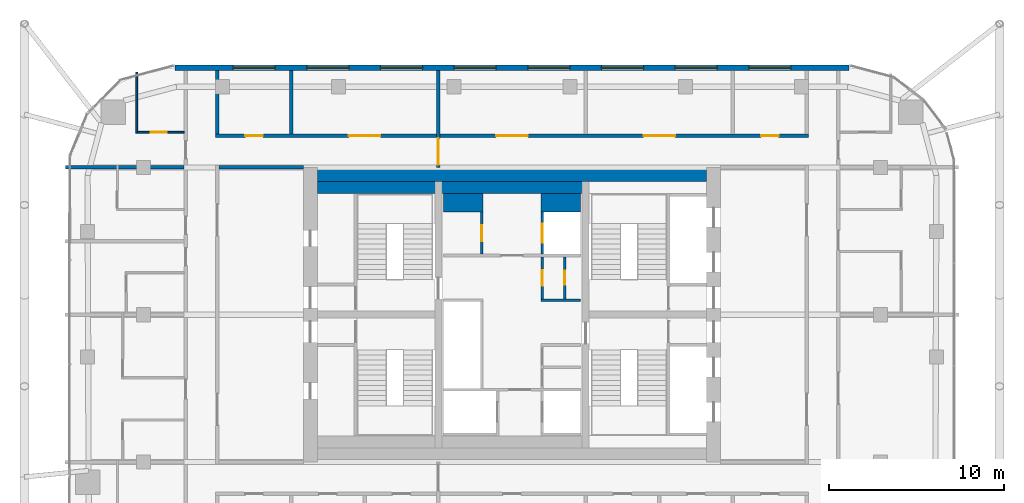
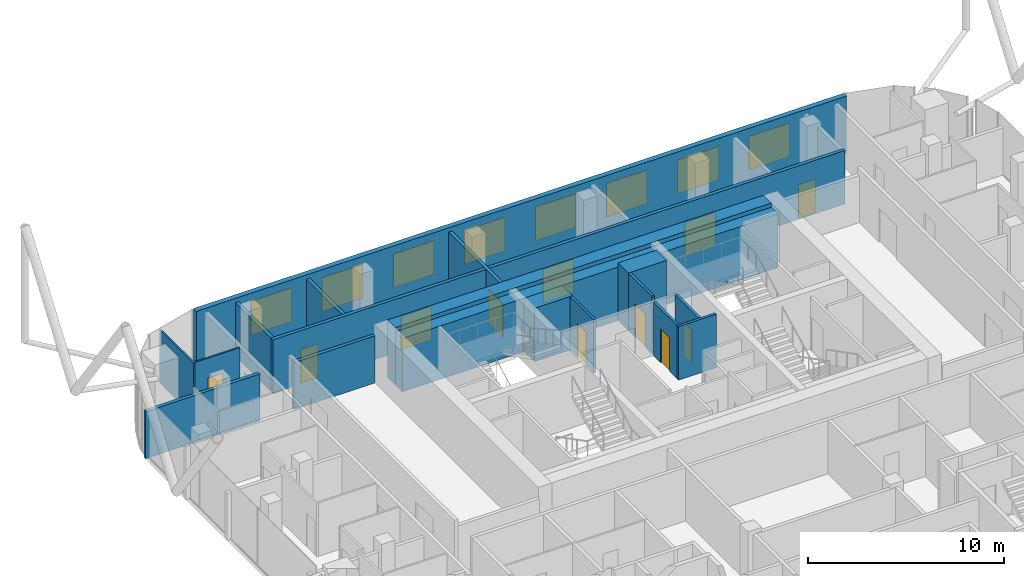
# One storey, part 28 of 31: 18 walls, 11 doors, 8 windows, 19 openings.
"""IFC4 building model written with IfcOpenShell, lengths in metres."""

import ifcopenshell
import ifcopenshell.guid

model = None  # the IFC model being written
_history = None  # IfcOwnerHistory: only IFC2X3 demands one
_inside = {}  # id of a spatial element -> (the spatial element, [elements in it])
_under = {}  # id of a project, library or spatial element -> (it, [spatial elements below it])
_declared = {}  # id of a project -> (the project, [libraries it declares])
_typed = {}  # id of a type object -> (the type object, [elements of that type])
_made_of = {}  # id of a material, layer set ... -> (it, [elements and type objects made of it])


def new_model(schema):
    """Start an empty IFC model of exactly this schema.

    Asked for "IFC4X3", IfcOpenShell would pick the latest addendum, in which some entities
    have other attributes; the version numbers below select the first issue.
    IFC2X3 requires an IfcOwnerHistory on every rooted entity: one is made here for all.
    """
    global model, _history
    if schema == "IFC4X3":
        model = ifcopenshell.file(schema_version=(4, 3, 0, 0))
    else:
        model = ifcopenshell.file(schema=schema)
    _inside.clear()
    _under.clear()
    _declared.clear()
    _typed.clear()
    _made_of.clear()
    _history = None
    if model.schema == "IFC2X3":
        org = make("IfcOrganization", Name="unknown")
        user = make(
            "IfcPersonAndOrganization",
            ThePerson=make("IfcPerson", FamilyName="unknown"),
            TheOrganization=org,
        )
        app = make(
            "IfcApplication",
            ApplicationDeveloper=org,
            Version="unknown",
            ApplicationFullName="unknown",
            ApplicationIdentifier="unknown",
        )
        _history = make(
            "IfcOwnerHistory",
            OwningUser=user,
            OwningApplication=app,
            ChangeAction="ADDED",
            CreationDate=0,
        )
    return model


def make(cls, **values):
    """One entity of the class cls with the attributes given. An attribute that is None is left unset."""
    return model.create_entity(
        cls, **{name: value for name, value in values.items() if value is not None}
    )


def rooted(cls, **values):
    """An entity with a GlobalId (a new one), such as an element, a storey or a relation."""
    return make(cls, GlobalId=ifcopenshell.guid.new(), OwnerHistory=_history, **values)


def si_unit(unit_type, name, prefix=None):
    """IfcSIUnit, for example si_unit("LENGTHUNIT", "METRE", prefix="MILLI")."""
    return make("IfcSIUnit", UnitType=unit_type, Prefix=prefix, Name=name)


def assignment(units):
    """IfcUnitAssignment: the units of a project."""
    return None if units is None else make("IfcUnitAssignment", Units=units)


def point(xyz):
    """IfcCartesianPoint."""
    return None if xyz is None else make("IfcCartesianPoint", Coordinates=xyz)


def direction(xyz):
    """IfcDirection."""
    return None if xyz is None else make("IfcDirection", DirectionRatios=xyz)


def frame(location, z_axis=None, x_axis=None):
    """IfcAxis2Placement3D, a coordinate frame: its origin and axes. An axis left out is left unset."""
    return make(
        "IfcAxis2Placement3D",
        Location=point(location),
        Axis=direction(z_axis),
        RefDirection=direction(x_axis),
    )


def frame_2d(location, x_axis=None):
    """IfcAxis2Placement2D, a coordinate frame in the plane: its origin and x axis."""
    return make(
        "IfcAxis2Placement2D", Location=point(location), RefDirection=direction(x_axis)
    )


def origin():
    """The frame at (0, 0, 0) with its axes left unset."""
    return frame((0.0, 0.0, 0.0))


def place(relative_to, where):
    """IfcLocalPlacement: puts the frame where relative to a parent placement (None: the world)."""
    return make(
        "IfcLocalPlacement", PlacementRelTo=relative_to, RelativePlacement=where
    )


def context(
    kind, dimensions, precision=None, world=None, true_north=None, identifier=None
):
    """IfcGeometricRepresentationContext, for example the 3D "Model" context."""
    return make(
        "IfcGeometricRepresentationContext",
        ContextIdentifier=identifier,
        ContextType=kind,
        CoordinateSpaceDimension=dimensions,
        Precision=precision,
        WorldCoordinateSystem=world,
        TrueNorth=true_north,
    )


def subcontext(parent, identifier, kind, view, scale=None):
    """IfcGeometricRepresentationSubContext, for example "Body" below "Model"."""
    return make(
        "IfcGeometricRepresentationSubContext",
        ContextIdentifier=identifier,
        ContextType=kind,
        ParentContext=parent,
        TargetScale=scale,
        TargetView=view,
    )


def project(units=None, contexts=None):
    """IfcProject with its units and contexts."""
    return rooted(
        "IfcProject",
        Name="project",
        RepresentationContexts=contexts,
        UnitsInContext=assignment(units),
    )


def spatial(cls, under=None, at=None, **own):
    """A site, building, storey or space (cls), placed at a placement, below another one or the project."""
    s = rooted(cls, ObjectPlacement=at, **own)
    if under is not None:
        _under.setdefault(under.id(), (under, []))[1].append(s)
    return s


def profile(cls, at=None, kind="AREA", **sizes):
    """A parametric profile (cls). Its sizes go by their IFC names, for example OverallWidth=200.0."""
    return make(cls, ProfileType=kind, Position=at, **sizes)


def rectangle(**sizes):
    """IfcRectangleProfileDef."""
    return profile("IfcRectangleProfileDef", **sizes)


def extrude(swept, where, along, depth):
    """IfcExtrudedAreaSolid: the profile swept, set in the frame where, extruded along a direction by depth."""
    return make(
        "IfcExtrudedAreaSolid",
        SweptArea=swept,
        Position=where,
        ExtrudedDirection=direction(along),
        Depth=depth,
    )


def shape(context_of_items, identifier, shape_type, items):
    """IfcShapeRepresentation: the items that make up one representation, for example the "Body"."""
    return make(
        "IfcShapeRepresentation",
        ContextOfItems=context_of_items,
        RepresentationIdentifier=identifier,
        RepresentationType=shape_type,
        Items=items,
    )


def material(Name=None, Category=None):
    """IfcMaterial."""
    return make("IfcMaterial", Name=Name, Category=Category)


def layer(
    of_material, thickness, ventilated=None, Name=None, Category=None, Priority=None
):
    """IfcMaterialLayer: one layer of a wall or slab, of a material (None: an air gap)."""
    return make(
        "IfcMaterialLayer",
        Material=of_material,
        LayerThickness=thickness,
        IsVentilated=ventilated,
        Name=Name,
        Category=Category,
        Priority=Priority,
    )


def layer_set(layers, Name=None):
    """IfcMaterialLayerSet."""
    return make("IfcMaterialLayerSet", MaterialLayers=layers, LayerSetName=Name)


def made_of(thing, what):
    """Note that an element or type object is made of a material, layer set ...; save() writes the relation."""
    if what is not None:
        _made_of.setdefault(what.id(), (what, []))[1].append(thing)
    return thing


def type_object(cls, material=None, **own):
    """A type object (cls), such as IfcWallType, which elements share."""
    return made_of(rooted(cls, **own), material)


def element(
    cls,
    number,
    at=None,
    inside=None,
    cuts=None,
    type_object=None,
    material=None,
    context=None,
    identifier="Body",
    shape_type=None,
    held_by="IfcProductDefinitionShape",
    body=None,
    shapes=None,
    **own,
):
    """One element of the class cls, such as IfcWall. Its Tag is "e" and its number.

    at: its placement. inside: the storey or other place that contains it. cuts: it is an
    opening in that element (IfcRelVoidsElement). A single representation is given by context,
    identifier, shape_type and body (its items); several are given by shapes. held_by: the class
    of the entity that holds the representations. save() writes the other relations.
    """
    e = rooted(cls, Tag="e%d" % number, ObjectPlacement=at, **own)
    if body is not None:
        shapes = [shape(context, identifier, shape_type, body)]
    if shapes is not None:
        e.Representation = make(held_by, Representations=shapes)
    if inside is not None:
        _inside.setdefault(inside.id(), (inside, []))[1].append(e)
    if cuts is not None:
        rooted(
            "IfcRelVoidsElement", RelatingBuildingElement=cuts, RelatedOpeningElement=e
        )
    if type_object is not None:
        _typed.setdefault(type_object.id(), (type_object, []))[1].append(e)
    return made_of(e, material)


def fill(opening, filler):
    """IfcRelFillsElement: the door or window that sits in an opening."""
    return rooted(
        "IfcRelFillsElement",
        RelatingOpeningElement=opening,
        RelatedBuildingElement=filler,
    )


def aggregate(whole, parts):
    """IfcRelAggregates: a whole, such as a stair, and the parts it consists of."""
    return rooted("IfcRelAggregates", RelatingObject=whole, RelatedObjects=parts)


def save(model, path):
    """Write the relations noted so far, then the file.

    IfcRelAggregates (storeys below a building ...), IfcRelContainedInSpatialStructure (elements
    in a storey), IfcRelDefinesByType, IfcRelAssociatesMaterial and IfcRelDeclares: one each for
    every whole, place, type object, material and project.
    """
    for whole, parts in _under.values():
        aggregate(whole, parts)
    for where, things in _inside.values():
        rooted(
            "IfcRelContainedInSpatialStructure",
            RelatedElements=things,
            RelatingStructure=where,
        )
    for kind, things in _typed.values():
        rooted("IfcRelDefinesByType", RelatedObjects=things, RelatingType=kind)
    for what, things in _made_of.values():
        rooted("IfcRelAssociatesMaterial", RelatedObjects=things, RelatingMaterial=what)
    for by, libraries in _declared.values():
        rooted("IfcRelDeclares", RelatingContext=by, RelatedDefinitions=libraries)
    model.write(path)


model = new_model("IFC4")

# Units and contexts
model_context = context("Model", 3, precision=1e-05, world=origin(), true_north=direction((0.0, 1.0)))
body_context = subcontext(model_context, "Body", "Model", "MODEL_VIEW")
ifc_project = project(units=[si_unit("LENGTHUNIT", "METRE"), si_unit("AREAUNIT", "SQUARE_METRE"), si_unit("VOLUMEUNIT", "CUBIC_METRE"), si_unit("PLANEANGLEUNIT", "RADIAN"), si_unit("MASSUNIT", "GRAM", prefix="KILO")], contexts=[model_context])

# Site, building, storey
site_placement = place(None, origin())
site = spatial("IfcSite", under=ifc_project, at=site_placement, CompositionType="ELEMENT")
building_placement = place(site_placement, origin())
building = spatial("IfcBuilding", under=site, at=building_placement, Name="Marenta Gate Hotel Tower", CompositionType="ELEMENT")
storey_placement = place(building_placement, frame((0.0, 0.0, 220.10009765625)))
storey = spatial("IfcBuildingStorey", under=building, at=storey_placement, Name="L51", CompositionType="ELEMENT", Elevation=220.10009765625)

# Wall, openings, windows
ifc_material_1 = material(Name="Concrete C40 board-marked", Category="concrete")
ifc_layer_1 = layer(ifc_material_1, 0.300048828125)
ifc_layer_set_1 = layer_set([ifc_layer_1], Name="Concrete C40 board-marked")
wall_type_1 = type_object("IfcWallType", Name="Board-marked concrete wall 300 mm", PredefinedType="NOTDEFINED", material=ifc_layer_set_1)
wall_1_placement = place(storey_placement, frame((19.205810546875, 22.489990234375, 0.0), z_axis=(0.0, 0.0, 1.0), x_axis=(-1.0, 0.0, 0.0)))
wall_1 = element("IfcWall", 1, at=wall_1_placement, inside=storey, type_object=wall_type_1, Name="L51-CLD-N00", PredefinedType="NOTDEFINED", context=body_context, shape_type="SweptSolid", body=[
    extrude(rectangle(XDim=38.41162109375, YDim=0.300048828125, at=frame_2d((19.205810546875, 0.0))), origin(), (0.0, 0.0, 1.0), 3.599853515625),
])
opening_1_placement = place(wall_1_placement, frame((3.305908203125, 0.0, 0.89990234375)))
opening_1 = element("IfcOpeningElement", 2, at=opening_1_placement, cuts=wall_1, Name="Opening W1", PredefinedType="OPENING", context=body_context, shape_type="SweptSolid", body=[
    extrude(rectangle(XDim=2.39990234375, YDim=2.10009765625, at=frame_2d((1.199951171875, 1.050048828125))), frame((0.0, 0.14990234375, 0.0), z_axis=(0.0, -1.0, 0.0), x_axis=(1.0, 0.0, 0.0)), (0.0, 0.0, 1.0), 0.300048828125),
])
opening_2_placement = place(wall_1_placement, frame((7.505859375, 0.0, 0.89990234375)))
opening_2 = element("IfcOpeningElement", 3, at=opening_2_placement, cuts=wall_1, Name="Opening W1", PredefinedType="OPENING", context=body_context, shape_type="SweptSolid", body=[
    extrude(rectangle(XDim=2.39990234375, YDim=2.10009765625, at=frame_2d((1.199951171875, 1.050048828125))), frame((0.0, 0.14990234375, 0.0), z_axis=(0.0, -1.0, 0.0), x_axis=(1.0, 0.0, 0.0)), (0.0, 0.0, 1.0), 0.300048828125),
])
opening_3_placement = place(wall_1_placement, frame((11.705810546875, 0.0, 0.89990234375)))
opening_3 = element("IfcOpeningElement", 4, at=opening_3_placement, cuts=wall_1, Name="Opening W1", PredefinedType="OPENING", context=body_context, shape_type="SweptSolid", body=[
    extrude(rectangle(XDim=2.39990234375, YDim=2.10009765625, at=frame_2d((1.199951171875, 1.050048828125))), frame((0.0, 0.14990234375, 0.0), z_axis=(0.0, -1.0, 0.0), x_axis=(1.0, 0.0, 0.0)), (0.0, 0.0, 1.0), 0.300048828125),
])
opening_4_placement = place(wall_1_placement, frame((15.906005859375, 0.0, 0.89990234375)))
opening_4 = element("IfcOpeningElement", 5, at=opening_4_placement, cuts=wall_1, Name="Opening W1", PredefinedType="OPENING", context=body_context, shape_type="SweptSolid", body=[
    extrude(rectangle(XDim=2.39990234375, YDim=2.10009765625, at=frame_2d((1.199951171875, 1.050048828125))), frame((0.0, 0.14990234375, 0.0), z_axis=(0.0, -1.0, 0.0), x_axis=(1.0, 0.0, 0.0)), (0.0, 0.0, 1.0), 0.300048828125),
])
opening_5_placement = place(wall_1_placement, frame((20.10595703125, 0.0, 0.89990234375)))
opening_5 = element("IfcOpeningElement", 6, at=opening_5_placement, cuts=wall_1, Name="Opening W1", PredefinedType="OPENING", context=body_context, shape_type="SweptSolid", body=[
    extrude(rectangle(XDim=2.39990234375, YDim=2.10009765625, at=frame_2d((1.199951171875, 1.050048828125))), frame((0.0, 0.14990234375, 0.0), z_axis=(0.0, -1.0, 0.0), x_axis=(1.0, 0.0, 0.0)), (0.0, 0.0, 1.0), 0.300048828125),
])
opening_6_placement = place(wall_1_placement, frame((24.305908203125, 0.0, 0.89990234375)))
opening_6 = element("IfcOpeningElement", 7, at=opening_6_placement, cuts=wall_1, Name="Opening W1", PredefinedType="OPENING", context=body_context, shape_type="SweptSolid", body=[
    extrude(rectangle(XDim=2.39990234375, YDim=2.10009765625, at=frame_2d((1.199951171875, 1.050048828125))), frame((0.0, 0.14990234375, 0.0), z_axis=(0.0, -1.0, 0.0), x_axis=(1.0, 0.0, 0.0)), (0.0, 0.0, 1.0), 0.300048828125),
])
opening_7_placement = place(wall_1_placement, frame((28.505859375, 0.0, 0.89990234375)))
opening_7 = element("IfcOpeningElement", 8, at=opening_7_placement, cuts=wall_1, Name="Opening W1", PredefinedType="OPENING", context=body_context, shape_type="SweptSolid", body=[
    extrude(rectangle(XDim=2.39990234375, YDim=2.10009765625, at=frame_2d((1.199951171875, 1.050048828125))), frame((0.0, 0.14990234375, 0.0), z_axis=(0.0, -1.0, 0.0), x_axis=(1.0, 0.0, 0.0)), (0.0, 0.0, 1.0), 0.300048828125),
])
opening_8_placement = place(wall_1_placement, frame((32.705810546875, 0.0, 0.89990234375)))
opening_8 = element("IfcOpeningElement", 9, at=opening_8_placement, cuts=wall_1, Name="Opening W1", PredefinedType="OPENING", context=body_context, shape_type="SweptSolid", body=[
    extrude(rectangle(XDim=2.39990234375, YDim=2.10009765625, at=frame_2d((1.199951171875, 1.050048828125))), frame((0.0, 0.14990234375, 0.0), z_axis=(0.0, -1.0, 0.0), x_axis=(1.0, 0.0, 0.0)), (0.0, 0.0, 1.0), 0.300048828125),
])
ifc_material_2 = material(Name="Tinted insulated glass in bronze anodised frame", Category="glass")
window_type = type_object("IfcWindowType", Name="Window W1 2400x2100 bronze frame", PartitioningType="SINGLE_PANEL", PredefinedType="WINDOW", material=ifc_material_2)
window_1_placement = place(opening_1_placement, origin())
window_1 = element("IfcWindow", 10, at=window_1_placement, inside=storey, type_object=window_type, Name="Window W1", OverallHeight=2.10009765625, OverallWidth=2.39990234375, PartitioningType="SINGLE_PANEL", PredefinedType="WINDOW", context=body_context, shape_type="SweptSolid", body=[
    extrude(rectangle(XDim=2.39990234375, YDim=2.10009765625, at=frame_2d((1.199951171875, 1.050048828125))), frame((0.0, 0.030029296875, 0.0), z_axis=(0.0, -1.0, 0.0), x_axis=(1.0, 0.0, 0.0)), (0.0, 0.0, 1.0), 0.06005859375),
])
fill(opening_1, window_1)
window_2_placement = place(opening_2_placement, origin())
window_2 = element("IfcWindow", 11, at=window_2_placement, inside=storey, type_object=window_type, Name="Window W1", OverallHeight=2.10009765625, OverallWidth=2.39990234375, PartitioningType="SINGLE_PANEL", PredefinedType="WINDOW", context=body_context, shape_type="SweptSolid", body=[
    extrude(rectangle(XDim=2.39990234375, YDim=2.10009765625, at=frame_2d((1.199951171875, 1.050048828125))), frame((0.0, 0.030029296875, 0.0), z_axis=(0.0, -1.0, 0.0), x_axis=(1.0, 0.0, 0.0)), (0.0, 0.0, 1.0), 0.06005859375),
])
fill(opening_2, window_2)
window_3_placement = place(opening_3_placement, origin())
window_3 = element("IfcWindow", 12, at=window_3_placement, inside=storey, type_object=window_type, Name="Window W1", OverallHeight=2.10009765625, OverallWidth=2.39990234375, PartitioningType="SINGLE_PANEL", PredefinedType="WINDOW", context=body_context, shape_type="SweptSolid", body=[
    extrude(rectangle(XDim=2.39990234375, YDim=2.10009765625, at=frame_2d((1.199951171875, 1.050048828125))), frame((0.0, 0.030029296875, 0.0), z_axis=(0.0, -1.0, 0.0), x_axis=(1.0, 0.0, 0.0)), (0.0, 0.0, 1.0), 0.06005859375),
])
fill(opening_3, window_3)
window_4_placement = place(opening_4_placement, origin())
window_4 = element("IfcWindow", 13, at=window_4_placement, inside=storey, type_object=window_type, Name="Window W1", OverallHeight=2.10009765625, OverallWidth=2.39990234375, PartitioningType="SINGLE_PANEL", PredefinedType="WINDOW", context=body_context, shape_type="SweptSolid", body=[
    extrude(rectangle(XDim=2.39990234375, YDim=2.10009765625, at=frame_2d((1.199951171875, 1.050048828125))), frame((0.0, 0.030029296875, 0.0), z_axis=(0.0, -1.0, 0.0), x_axis=(1.0, 0.0, 0.0)), (0.0, 0.0, 1.0), 0.06005859375),
])
fill(opening_4, window_4)
window_5_placement = place(opening_5_placement, origin())
window_5 = element("IfcWindow", 14, at=window_5_placement, inside=storey, type_object=window_type, Name="Window W1", OverallHeight=2.10009765625, OverallWidth=2.39990234375, PartitioningType="SINGLE_PANEL", PredefinedType="WINDOW", context=body_context, shape_type="SweptSolid", body=[
    extrude(rectangle(XDim=2.39990234375, YDim=2.10009765625, at=frame_2d((1.199951171875, 1.050048828125))), frame((0.0, 0.030029296875, 0.0), z_axis=(0.0, -1.0, 0.0), x_axis=(1.0, 0.0, 0.0)), (0.0, 0.0, 1.0), 0.06005859375),
])
fill(opening_5, window_5)
window_6_placement = place(opening_6_placement, origin())
window_6 = element("IfcWindow", 15, at=window_6_placement, inside=storey, type_object=window_type, Name="Window W1", OverallHeight=2.10009765625, OverallWidth=2.39990234375, PartitioningType="SINGLE_PANEL", PredefinedType="WINDOW", context=body_context, shape_type="SweptSolid", body=[
    extrude(rectangle(XDim=2.39990234375, YDim=2.10009765625, at=frame_2d((1.199951171875, 1.050048828125))), frame((0.0, 0.030029296875, 0.0), z_axis=(0.0, -1.0, 0.0), x_axis=(1.0, 0.0, 0.0)), (0.0, 0.0, 1.0), 0.06005859375),
])
fill(opening_6, window_6)
window_7_placement = place(opening_7_placement, origin())
window_7 = element("IfcWindow", 16, at=window_7_placement, inside=storey, type_object=window_type, Name="Window W1", OverallHeight=2.10009765625, OverallWidth=2.39990234375, PartitioningType="SINGLE_PANEL", PredefinedType="WINDOW", context=body_context, shape_type="SweptSolid", body=[
    extrude(rectangle(XDim=2.39990234375, YDim=2.10009765625, at=frame_2d((1.199951171875, 1.050048828125))), frame((0.0, 0.030029296875, 0.0), z_axis=(0.0, -1.0, 0.0), x_axis=(1.0, 0.0, 0.0)), (0.0, 0.0, 1.0), 0.06005859375),
])
fill(opening_7, window_7)
window_8_placement = place(opening_8_placement, origin())
window_8 = element("IfcWindow", 17, at=window_8_placement, inside=storey, type_object=window_type, Name="Window W1", OverallHeight=2.10009765625, OverallWidth=2.39990234375, PartitioningType="SINGLE_PANEL", PredefinedType="WINDOW", context=body_context, shape_type="SweptSolid", body=[
    extrude(rectangle(XDim=2.39990234375, YDim=2.10009765625, at=frame_2d((1.199951171875, 1.050048828125))), frame((0.0, 0.030029296875, 0.0), z_axis=(0.0, -1.0, 0.0), x_axis=(1.0, 0.0, 0.0)), (0.0, 0.0, 1.0), 0.06005859375),
])
fill(opening_8, window_8)

# Wall, opening, door
ifc_material_3 = material(Name="Concrete blockwork", Category="masonry")
ifc_layer_2 = layer(ifc_material_3, 0.199951171875)
ifc_layer_set_2 = layer_set([ifc_layer_2], Name="Concrete blockwork")
wall_type_2 = type_object("IfcWallType", Name="Compartment wall 200 REI 180", PredefinedType="PARTITIONING", material=ifc_layer_set_2)
wall_2_placement = place(storey_placement, frame((-4.199951171875, 16.800048828125, 0.0), z_axis=(0.0, 0.0, 1.0), x_axis=(0.0, 1.0, 0.0)))
wall_2 = element("IfcWall", 18, at=wall_2_placement, inside=storey, type_object=wall_type_2, Name="L51-PTN-W083", PredefinedType="PARTITIONING", context=body_context, shape_type="SweptSolid", body=[
    extrude(rectangle(XDim=5.5400390625, YDim=0.199951171875, at=frame_2d((2.77001953125, 0.0))), origin(), (0.0, 0.0, 1.0), 3.33984375),
])
opening_9_placement = place(wall_2_placement, frame((0.14990234375, 0.0, 0.0)))
opening_9 = element("IfcOpeningElement", 19, at=opening_9_placement, cuts=wall_2, Name="Opening G19-FD1", PredefinedType="OPENING", context=body_context, shape_type="SweptSolid", body=[
    extrude(rectangle(XDim=1.5, YDim=2.10009765625, at=frame_2d((0.75, 1.050048828125))), frame((0.0, 0.10009765625, 0.0), z_axis=(0.0, -1.0, 0.0), x_axis=(1.0, 0.0, 0.0)), (0.0, 0.0, 1.0), 0.199951171875),
])
ifc_material_4 = material(Name="Hollow steel door set", Category="steel")
door_type_1 = type_object("IfcDoorType", Name="Compartment fire door 1500x2100 EI 60", OperationType="DOUBLE_DOOR_DOUBLE_SWING", PredefinedType="DOOR", material=ifc_material_4)
door_1_placement = place(opening_9_placement, origin())
door_1 = element("IfcDoor", 20, at=door_1_placement, inside=storey, type_object=door_type_1, Name="L51-PD-FD01", OperationType="DOUBLE_DOOR_DOUBLE_SWING", OverallHeight=2.10009765625, OverallWidth=1.5, PredefinedType="DOOR", context=body_context, shape_type="SweptSolid", body=[
    extrude(rectangle(XDim=1.5, YDim=2.10009765625, at=frame_2d((0.75, 1.050048828125))), frame((0.0, 0.02490234375, 0.0), z_axis=(0.0, -1.0, 0.0), x_axis=(1.0, 0.0, 0.0)), (0.0, 0.0, 1.0), 0.050048828125),
])
fill(opening_9, door_1)

# Walls
ifc_material_5 = material(Name="Concrete blockwork", Category="masonry")
ifc_layer_3 = layer(ifc_material_5, 0.199951171875)
ifc_layer_set_3 = layer_set([ifc_layer_3], Name="Concrete blockwork")
wall_type_3 = type_object("IfcWallType", Name="Core boundary wall 200 REI 180", PredefinedType="PARTITIONING", material=ifc_layer_set_3)
wall_3_placement = place(storey_placement, frame((-16.699951171875, 16.800048828125, 0.0), z_axis=(0.0, 0.0, 1.0), x_axis=(1.0, 0.0, 0.0)))
element("IfcWall", 21, at=wall_3_placement, inside=storey, type_object=wall_type_3, Name="L51-CP-EW-WN", PredefinedType="PARTITIONING", context=body_context, shape_type="SweptSolid", body=[
    extrude(rectangle(XDim=4.800048828125, YDim=0.199951171875, at=frame_2d((2.39990234375, 0.0))), origin(), (0.0, 0.0, 1.0), 2.93994140625),
])
ifc_material_6 = material(Name="Concrete C40", Category="concrete")
ifc_layer_4 = layer(ifc_material_6, 0.699951171875)
ifc_layer_set_4 = layer_set([ifc_layer_4], Name="Concrete C40")
wall_type_4 = type_object("IfcWallType", Name="Core lining wall 700 REI 180", PredefinedType="PARTITIONING", material=ifc_layer_set_4)
wall_4_placement = place(storey_placement, frame((-11.10009765625, 15.64990234375, 0.0), z_axis=(0.0, 0.0, 1.0), x_axis=(1.0, 0.0, 0.0)))
element("IfcWall", 22, at=wall_4_placement, inside=storey, type_object=wall_type_4, Name="L51-CP-LN-N", PredefinedType="PARTITIONING", context=body_context, shape_type="SweptSolid", body=[
    extrude(rectangle(XDim=22.2001953125, YDim=0.699951171875, at=frame_2d((11.10009765625, 0.0))), origin(), (0.0, 0.0, 1.0), 3.33984375),
])
ifc_material_7 = material(Name="Concrete blockwork", Category="masonry")
ifc_layer_5 = layer(ifc_material_7, 1.050048828125)
ifc_layer_set_5 = layer_set([ifc_layer_5], Name="Concrete blockwork")
wall_type_5 = type_object("IfcWallType", Name="Core room partition 1050 REI 180", PredefinedType="PARTITIONING", material=ifc_layer_set_5)
wall_5_placement = place(storey_placement, frame((-3.89990234375, 14.77490234375, 0.0), z_axis=(0.0, 0.0, 1.0), x_axis=(1.0, 0.0, 0.0)))
element("IfcWall", 23, at=wall_5_placement, inside=storey, type_object=wall_type_5, Name="L51-CP-CW-W-riser-N", PredefinedType="PARTITIONING", context=body_context, shape_type="SweptSolid", body=[
    extrude(rectangle(XDim=2.25, YDim=1.050048828125, at=frame_2d((1.125, 0.0))), origin(), (0.0, 0.0, 1.0), 3.33984375),
])

# Wall, opening, door
ifc_material_8 = material(Name="Concrete blockwork", Category="masonry")
ifc_layer_6 = layer(ifc_material_8, 0.14990234375)
ifc_layer_set_6 = layer_set([ifc_layer_6], Name="Concrete blockwork")
wall_type_6 = type_object("IfcWallType", Name="Core room partition 150 REI 180", PredefinedType="PARTITIONING", material=ifc_layer_set_6)
wall_6_placement = place(storey_placement, frame((-1.72509765625, 11.85009765625, 0.0), z_axis=(0.0, 0.0, 1.0), x_axis=(0.0, 1.0, 0.0)))
wall_6 = element("IfcWall", 24, at=wall_6_placement, inside=storey, type_object=wall_type_6, Name="L51-CP-CW-W-riser-front", PredefinedType="PARTITIONING", context=body_context, shape_type="SweptSolid", body=[
    extrude(rectangle(XDim=2.39990234375, YDim=0.14990234375, at=frame_2d((1.199951171875, 0.0))), origin(), (0.0, 0.0, 1.0), 3.33984375),
])
opening_10_placement = place(wall_6_placement, frame((0.75, 0.0, 0.0)))
opening_10 = element("IfcOpeningElement", 25, at=opening_10_placement, cuts=wall_6, Name="Opening RD-CRISER", PredefinedType="OPENING", context=body_context, shape_type="SweptSolid", body=[
    extrude(rectangle(XDim=0.89990234375, YDim=2.10009765625, at=frame_2d((0.449951171875, 1.050048828125))), frame((0.0, 0.074951171875, 0.0), z_axis=(0.0, -1.0, 0.0), x_axis=(1.0, 0.0, 0.0)), (0.0, 0.0, 1.0), 0.14990234375),
])
ifc_material_9 = material(Name="Steel", Category="steel")
door_type_2 = type_object("IfcDoorType", Name="Core riser door 900x2100 FD60", OperationType="SINGLE_SWING_LEFT", PredefinedType="DOOR", material=ifc_material_9)
door_2_placement = place(opening_10_placement, origin())
door_2 = element("IfcDoor", 26, at=door_2_placement, inside=storey, type_object=door_type_2, Name="RD-CRISER", OperationType="SINGLE_SWING_LEFT", OverallHeight=2.10009765625, OverallWidth=0.89990234375, PredefinedType="DOOR", context=body_context, shape_type="SweptSolid", body=[
    extrude(rectangle(XDim=0.89990234375, YDim=2.10009765625, at=frame_2d((0.449951171875, 1.050048828125))), frame((0.0, 0.02490234375, 0.0), z_axis=(0.0, -1.0, 0.0), x_axis=(1.0, 0.0, 0.0)), (0.0, 0.0, 1.0), 0.050048828125),
])
fill(opening_10, door_2)

# Wall
wall_7_placement = place(storey_placement, frame((1.64990234375, 9.22509765625, 0.0), z_axis=(0.0, 0.0, 1.0), x_axis=(1.0, 0.0, 0.0)))
element("IfcWall", 27, at=wall_7_placement, inside=storey, type_object=wall_type_6, Name="L51-CP-CE-sep2", PredefinedType="PARTITIONING", context=body_context, shape_type="SweptSolid", body=[
    extrude(rectangle(XDim=2.25, YDim=0.14990234375, at=frame_2d((1.125, 0.0))), origin(), (0.0, 0.0, 1.0), 3.33984375),
])

# Wall, opening, door
wall_8_placement = place(storey_placement, frame((1.72509765625, 9.300048828125, 0.0), z_axis=(0.0, 0.0, 1.0), x_axis=(0.0, 1.0, 0.0)))
wall_8 = element("IfcWall", 28, at=wall_8_placement, inside=storey, type_object=wall_type_6, Name="L51-CP-CE-front-2", PredefinedType="PARTITIONING", context=body_context, shape_type="SweptSolid", body=[
    extrude(rectangle(XDim=2.39990234375, YDim=0.14990234375, at=frame_2d((1.199951171875, 0.0))), origin(), (0.0, 0.0, 1.0), 3.33984375),
])
opening_11_placement = place(wall_8_placement, frame((0.75, 0.0, 0.0)))
opening_11 = element("IfcOpeningElement", 29, at=opening_11_placement, cuts=wall_8, Name="Opening RD-CE-2a", PredefinedType="OPENING", context=body_context, shape_type="SweptSolid", body=[
    extrude(rectangle(XDim=0.89990234375, YDim=2.10009765625, at=frame_2d((0.449951171875, 1.050048828125))), frame((0.0, 0.074951171875, 0.0), z_axis=(0.0, -1.0, 0.0), x_axis=(1.0, 0.0, 0.0)), (0.0, 0.0, 1.0), 0.14990234375),
])
ifc_material_10 = material(Name="Steel", Category="steel")
door_type_3 = type_object("IfcDoorType", Name="Core service room door 900x2100 FD30S", OperationType="SINGLE_SWING_LEFT", PredefinedType="DOOR", material=ifc_material_10)
door_3_placement = place(opening_11_placement, origin())
door_3 = element("IfcDoor", 30, at=door_3_placement, inside=storey, type_object=door_type_3, Name="RD-CE-2a", OperationType="SINGLE_SWING_LEFT", OverallHeight=2.10009765625, OverallWidth=0.89990234375, PredefinedType="DOOR", context=body_context, shape_type="SweptSolid", body=[
    extrude(rectangle(XDim=0.89990234375, YDim=2.10009765625, at=frame_2d((0.449951171875, 1.050048828125))), frame((0.0, 0.02490234375, 0.0), z_axis=(0.0, -1.0, 0.0), x_axis=(1.0, 0.0, 0.0)), (0.0, 0.0, 1.0), 0.050048828125),
])
fill(opening_11, door_3)

wall_9_placement = place(storey_placement, frame((3.0, 9.300048828125, 0.0), z_axis=(0.0, 0.0, 1.0), x_axis=(0.0, 1.0, 0.0)))
wall_9 = element("IfcWall", 31, at=wall_9_placement, inside=storey, type_object=wall_type_6, Name="L51-CP-CE-RW-2", PredefinedType="PARTITIONING", context=body_context, shape_type="SweptSolid", body=[
    extrude(rectangle(XDim=2.39990234375, YDim=0.14990234375, at=frame_2d((1.199951171875, 0.0))), origin(), (0.0, 0.0, 1.0), 3.33984375),
])
opening_12_placement = place(wall_9_placement, frame((0.800048828125, 0.0, 0.0)))
opening_12 = element("IfcOpeningElement", 32, at=opening_12_placement, cuts=wall_9, Name="Opening RD-CE-2b-A", PredefinedType="OPENING", context=body_context, shape_type="SweptSolid", body=[
    extrude(rectangle(XDim=0.800048828125, YDim=2.10009765625, at=frame_2d((0.39990234375, 1.050048828125))), frame((0.0, 0.074951171875, 0.0), z_axis=(0.0, -1.0, 0.0), x_axis=(1.0, 0.0, 0.0)), (0.0, 0.0, 1.0), 0.14990234375),
])
ifc_material_11 = material(Name="Steel", Category="steel")
door_type_4 = type_object("IfcDoorType", Name="Core riser door 800x2100 FD60", OperationType="SINGLE_SWING_LEFT", PredefinedType="DOOR", material=ifc_material_11)
door_4_placement = place(opening_12_placement, origin())
door_4 = element("IfcDoor", 33, at=door_4_placement, inside=storey, type_object=door_type_4, Name="RD-CE-2b-A", OperationType="SINGLE_SWING_LEFT", OverallHeight=2.10009765625, OverallWidth=0.800048828125, PredefinedType="DOOR", context=body_context, shape_type="SweptSolid", body=[
    extrude(rectangle(XDim=0.800048828125, YDim=2.10009765625, at=frame_2d((0.39990234375, 1.050048828125))), frame((0.0, 0.02490234375, 0.0), z_axis=(0.0, -1.0, 0.0), x_axis=(1.0, 0.0, 0.0)), (0.0, 0.0, 1.0), 0.050048828125),
])
fill(opening_12, door_4)

# Wall
ifc_material_12 = material(Name="Concrete C40", Category="concrete")
ifc_layer_7 = layer(ifc_material_12, 1.050048828125)
ifc_layer_set_7 = layer_set([ifc_layer_7], Name="Concrete C40")
wall_type_7 = type_object("IfcWallType", Name="Core shaft wall 1050 REI 180", PredefinedType="SHEAR", material=ifc_layer_set_7)
wall_10_placement = place(storey_placement, frame((1.64990234375, 14.77490234375, 0.0), z_axis=(0.0, 0.0, 1.0), x_axis=(1.0, 0.0, 0.0)))
element("IfcWall", 34, at=wall_10_placement, inside=storey, type_object=wall_type_7, Name="L51-SHF-CE-N-top", PredefinedType="SHEAR", context=body_context, shape_type="SweptSolid", body=[
    extrude(rectangle(XDim=2.25, YDim=1.050048828125, at=frame_2d((1.125, 0.0))), origin(), (0.0, 0.0, 1.0), 3.599853515625),
])

# Wall, opening, door
ifc_material_13 = material(Name="Concrete C40", Category="concrete")
ifc_layer_8 = layer(ifc_material_13, 0.14990234375)
ifc_layer_set_8 = layer_set([ifc_layer_8], Name="Concrete C40")
wall_type_8 = type_object("IfcWallType", Name="Core shaft wall 150 REI 180", PredefinedType="SHEAR", material=ifc_layer_set_8)
wall_11_placement = place(storey_placement, frame((1.72509765625, 11.85009765625, 0.0), z_axis=(0.0, 0.0, 1.0), x_axis=(0.0, 1.0, 0.0)))
wall_11 = element("IfcWall", 35, at=wall_11_placement, inside=storey, type_object=wall_type_8, Name="L51-SHF-CE-N-front2", PredefinedType="SHEAR", context=body_context, shape_type="SweptSolid", body=[
    extrude(rectangle(XDim=2.39990234375, YDim=0.14990234375, at=frame_2d((1.199951171875, 0.0))), origin(), (0.0, 0.0, 1.0), 3.599853515625),
])
opening_13_placement = place(wall_11_placement, frame((0.64990234375, 0.0, 0.0)))
opening_13 = element("IfcOpeningElement", 36, at=opening_13_placement, cuts=wall_11, Name="Opening LD-FF2", PredefinedType="OPENING", context=body_context, shape_type="SweptSolid", body=[
    extrude(rectangle(XDim=1.10009765625, YDim=2.10009765625, at=frame_2d((0.550048828125, 1.050048828125))), frame((0.0, 0.074951171875, 0.0), z_axis=(0.0, -1.0, 0.0), x_axis=(1.0, 0.0, 0.0)), (0.0, 0.0, 1.0), 0.14990234375),
])
ifc_material_14 = material(Name="Steel", Category="steel")
door_type_5 = type_object("IfcDoorType", Name="Core lift landing door 1100x2100 E 60", OperationType="SLIDING_TO_LEFT", PredefinedType="DOOR", material=ifc_material_14)
door_5_placement = place(opening_13_placement, origin())
door_5 = element("IfcDoor", 37, at=door_5_placement, inside=storey, type_object=door_type_5, Name="LD-FF2", OperationType="SLIDING_TO_LEFT", OverallHeight=2.10009765625, OverallWidth=1.10009765625, PredefinedType="DOOR", context=body_context, shape_type="SweptSolid", body=[
    extrude(rectangle(XDim=1.10009765625, YDim=2.10009765625, at=frame_2d((0.550048828125, 1.050048828125))), frame((0.0, 0.02490234375, 0.0), z_axis=(0.0, -1.0, 0.0), x_axis=(1.0, 0.0, 0.0)), (0.0, 0.0, 1.0), 0.050048828125),
])
fill(opening_13, door_5)

# Walls
ifc_material_15 = material(Name="Concrete C60", Category="concrete")
ifc_layer_9 = layer(ifc_material_15, 0.800048828125)
ifc_layer_set_9 = layer_set([ifc_layer_9], Name="Concrete C60")
wall_type_9 = type_object("IfcWallType", Name="Core wall 800 C60", PredefinedType="SHEAR", material=ifc_layer_set_9)
wall_12_placement = place(storey_placement, frame((-11.10009765625, 16.39990234375, 0.0), z_axis=(0.0, 0.0, 1.0), x_axis=(1.0, 0.0, 0.0)))
element("IfcWall", 38, at=wall_12_placement, inside=storey, type_object=wall_type_9, Name="L51-CORE-N", PredefinedType="SHEAR", context=body_context, shape_type="SweptSolid", body=[
    extrude(rectangle(XDim=22.2001953125, YDim=0.800048828125, at=frame_2d((11.10009765625, 0.0))), origin(), (0.0, 0.0, 1.0), 3.599853515625),
])
ifc_material_16 = material(Name="Gypsum board on steel stud", Category="steel")
ifc_layer_10 = layer(ifc_material_16, 0.199951171875)
ifc_layer_set_10 = layer_set([ifc_layer_10], Name="Gypsum board on steel stud")
wall_type_10 = type_object("IfcWallType", Name="Room corridor wall 200 EI 60", PredefinedType="PARTITIONING", material=ifc_layer_set_10)
wall_13_placement = place(storey_placement, frame((-16.800048828125, 18.699951171875, 0.0), z_axis=(0.0, 0.0, 1.0), x_axis=(0.0, 1.0, 0.0)))
element("IfcWall", 39, at=wall_13_placement, inside=storey, type_object=wall_type_10, Name="L51-PTN-W107", PredefinedType="PARTITIONING", context=body_context, shape_type="SweptSolid", body=[
    extrude(rectangle(XDim=3.64013671875, YDim=0.199951171875, at=frame_2d((1.820068359375, 0.0))), origin(), (0.0, 0.0, 1.0), 3.33984375),
])

# Wall, openings, doors
wall_14_placement = place(storey_placement, frame((-16.89990234375, 18.60009765625, 0.0), z_axis=(0.0, 0.0, 1.0), x_axis=(1.0, 0.0, 0.0)))
wall_14 = element("IfcWall", 40, at=wall_14_placement, inside=storey, type_object=wall_type_10, Name="L51-PTN-W111", PredefinedType="PARTITIONING", context=body_context, shape_type="SweptSolid", body=[
    extrude(rectangle(XDim=33.7998046875, YDim=0.199951171875, at=frame_2d((16.89990234375, 0.0))), origin(), (0.0, 0.0, 1.0), 3.33984375),
])
opening_14_placement = place(wall_14_placement, frame((1.699951171875, 0.0, 0.0)))
opening_14 = element("IfcOpeningElement", 41, at=opening_14_placement, cuts=wall_14, Name="Opening G19-31", PredefinedType="OPENING", context=body_context, shape_type="SweptSolid", body=[
    extrude(rectangle(XDim=1.0, YDim=2.10009765625, at=frame_2d((0.5, 1.050048828125))), frame((0.0, 0.10009765625, 0.0), z_axis=(0.0, -1.0, 0.0), x_axis=(1.0, 0.0, 0.0)), (0.0, 0.0, 1.0), 0.199951171875),
])
opening_15_placement = place(wall_14_placement, frame((7.60009765625, 0.0, 0.0)))
opening_15 = element("IfcOpeningElement", 42, at=opening_15_placement, cuts=wall_14, Name="Opening G19-32", PredefinedType="OPENING", context=body_context, shape_type="SweptSolid", body=[
    extrude(rectangle(XDim=1.800048828125, YDim=2.10009765625, at=frame_2d((0.89990234375, 1.050048828125))), frame((0.0, 0.10009765625, 0.0), z_axis=(0.0, -1.0, 0.0), x_axis=(1.0, 0.0, 0.0)), (0.0, 0.0, 1.0), 0.199951171875),
])
opening_16_placement = place(wall_14_placement, frame((16.0, 0.0, 0.0)))
opening_16 = element("IfcOpeningElement", 43, at=opening_16_placement, cuts=wall_14, Name="Opening G19-33", PredefinedType="OPENING", context=body_context, shape_type="SweptSolid", body=[
    extrude(rectangle(XDim=1.800048828125, YDim=2.10009765625, at=frame_2d((0.89990234375, 1.050048828125))), frame((0.0, 0.10009765625, 0.0), z_axis=(0.0, -1.0, 0.0), x_axis=(1.0, 0.0, 0.0)), (0.0, 0.0, 1.0), 0.199951171875),
])
opening_17_placement = place(wall_14_placement, frame((24.39990234375, 0.0, 0.0)))
opening_17 = element("IfcOpeningElement", 44, at=opening_17_placement, cuts=wall_14, Name="Opening G19-34", PredefinedType="OPENING", context=body_context, shape_type="SweptSolid", body=[
    extrude(rectangle(XDim=1.800048828125, YDim=2.10009765625, at=frame_2d((0.89990234375, 1.050048828125))), frame((0.0, 0.10009765625, 0.0), z_axis=(0.0, -1.0, 0.0), x_axis=(1.0, 0.0, 0.0)), (0.0, 0.0, 1.0), 0.199951171875),
])
opening_18_placement = place(wall_14_placement, frame((31.10009765625, 0.0, 0.0)))
opening_18 = element("IfcOpeningElement", 45, at=opening_18_placement, cuts=wall_14, Name="Opening G19-35", PredefinedType="OPENING", context=body_context, shape_type="SweptSolid", body=[
    extrude(rectangle(XDim=1.0, YDim=2.10009765625, at=frame_2d((0.5, 1.050048828125))), frame((0.0, 0.10009765625, 0.0), z_axis=(0.0, -1.0, 0.0), x_axis=(1.0, 0.0, 0.0)), (0.0, 0.0, 1.0), 0.199951171875),
])
ifc_material_17 = material(Name="Timber door leaf", Category="wood")
door_type_6 = type_object("IfcDoorType", Name="Room amenity door 1000x2100 EI 30", OperationType="NOTDEFINED", PredefinedType="DOOR", material=ifc_material_17)
door_6_placement = place(opening_14_placement, origin())
door_6 = element("IfcDoor", 46, at=door_6_placement, inside=storey, type_object=door_type_6, Name="L51-PD-D031", OperationType="SINGLE_SWING_LEFT", OverallHeight=2.10009765625, OverallWidth=1.0, PredefinedType="DOOR", context=body_context, shape_type="SweptSolid", body=[
    extrude(rectangle(XDim=1.0, YDim=2.10009765625, at=frame_2d((0.5, 1.050048828125))), frame((0.0, 0.02490234375, 0.0), z_axis=(0.0, -1.0, 0.0), x_axis=(1.0, 0.0, 0.0)), (0.0, 0.0, 1.0), 0.050048828125),
])
fill(opening_14, door_6)
door_7_placement = place(opening_18_placement, origin())
door_7 = element("IfcDoor", 47, at=door_7_placement, inside=storey, type_object=door_type_6, Name="L51-PD-D035", OperationType="SINGLE_SWING_LEFT", OverallHeight=2.10009765625, OverallWidth=1.0, PredefinedType="DOOR", context=body_context, shape_type="SweptSolid", body=[
    extrude(rectangle(XDim=1.0, YDim=2.10009765625, at=frame_2d((0.5, 1.050048828125))), frame((0.0, 0.02490234375, 0.0), z_axis=(0.0, -1.0, 0.0), x_axis=(1.0, 0.0, 0.0)), (0.0, 0.0, 1.0), 0.050048828125),
])
fill(opening_18, door_7)
ifc_material_18 = material(Name="Timber door leaf", Category="wood")
door_type_7 = type_object("IfcDoorType", Name="Room amenity door 1800x2100 EI 30", OperationType="DOUBLE_DOOR_SINGLE_SWING", PredefinedType="DOOR", material=ifc_material_18)
door_8_placement = place(opening_15_placement, origin())
door_8 = element("IfcDoor", 48, at=door_8_placement, inside=storey, type_object=door_type_7, Name="L51-PD-D032", OperationType="DOUBLE_DOOR_SINGLE_SWING", OverallHeight=2.10009765625, OverallWidth=1.800048828125, PredefinedType="DOOR", context=body_context, shape_type="SweptSolid", body=[
    extrude(rectangle(XDim=1.800048828125, YDim=2.10009765625, at=frame_2d((0.89990234375, 1.050048828125))), frame((0.0, 0.02490234375, 0.0), z_axis=(0.0, -1.0, 0.0), x_axis=(1.0, 0.0, 0.0)), (0.0, 0.0, 1.0), 0.050048828125),
])
fill(opening_15, door_8)
door_9_placement = place(opening_16_placement, origin())
door_9 = element("IfcDoor", 49, at=door_9_placement, inside=storey, type_object=door_type_7, Name="L51-PD-D033", OperationType="DOUBLE_DOOR_SINGLE_SWING", OverallHeight=2.10009765625, OverallWidth=1.800048828125, PredefinedType="DOOR", context=body_context, shape_type="SweptSolid", body=[
    extrude(rectangle(XDim=1.800048828125, YDim=2.10009765625, at=frame_2d((0.89990234375, 1.050048828125))), frame((0.0, 0.02490234375, 0.0), z_axis=(0.0, -1.0, 0.0), x_axis=(1.0, 0.0, 0.0)), (0.0, 0.0, 1.0), 0.050048828125),
])
fill(opening_16, door_9)
door_10_placement = place(opening_17_placement, origin())
door_10 = element("IfcDoor", 50, at=door_10_placement, inside=storey, type_object=door_type_7, Name="L51-PD-D034", OperationType="DOUBLE_DOOR_SINGLE_SWING", OverallHeight=2.10009765625, OverallWidth=1.800048828125, PredefinedType="DOOR", context=body_context, shape_type="SweptSolid", body=[
    extrude(rectangle(XDim=1.800048828125, YDim=2.10009765625, at=frame_2d((0.89990234375, 1.050048828125))), frame((0.0, 0.02490234375, 0.0), z_axis=(0.0, -1.0, 0.0), x_axis=(1.0, 0.0, 0.0)), (0.0, 0.0, 1.0), 0.050048828125),
])
fill(opening_17, door_10)

# Wall, opening, door
ifc_material_19 = material(Name="Gypsum board on steel stud", Category="steel")
ifc_layer_11 = layer(ifc_material_19, 0.10009765625)
ifc_layer_set_11 = layer_set([ifc_layer_11], Name="Gypsum board on steel stud")
wall_type_11 = type_object("IfcWallType", Name="Room partition 100", PredefinedType="PARTITIONING", material=ifc_layer_set_11)
wall_15_placement = place(storey_placement, frame((-21.35009765625, 18.800048828125, 0.0), z_axis=(0.0, 0.0, 1.0), x_axis=(1.0, 0.0, 0.0)))
wall_15 = element("IfcWall", 51, at=wall_15_placement, inside=storey, type_object=wall_type_11, Name="L51-PTN-W112", PredefinedType="PARTITIONING", context=body_context, shape_type="SweptSolid", body=[
    extrude(rectangle(XDim=2.650146484375, YDim=0.10009765625, at=frame_2d((1.3251953125, 0.0))), origin(), (0.0, 0.0, 1.0), 3.33984375),
])
opening_19_placement = place(wall_15_placement, frame((0.760009765625, 0.0, 0.0)))
opening_19 = element("IfcOpeningElement", 52, at=opening_19_placement, cuts=wall_15, Name="Opening G19-70", PredefinedType="OPENING", context=body_context, shape_type="SweptSolid", body=[
    extrude(rectangle(XDim=0.89990234375, YDim=2.10009765625, at=frame_2d((0.449951171875, 1.050048828125))), frame((0.0, 0.050048828125, 0.0), z_axis=(0.0, -1.0, 0.0), x_axis=(1.0, 0.0, 0.0)), (0.0, 0.0, 1.0), 0.10009765625),
])
ifc_material_20 = material(Name="Timber door leaf", Category="wood")
door_type_8 = type_object("IfcDoorType", Name="Guest bathroom door 900x2100", OperationType="NOTDEFINED", PredefinedType="DOOR", material=ifc_material_20)
door_11_placement = place(opening_19_placement, origin())
door_11 = element("IfcDoor", 53, at=door_11_placement, inside=storey, type_object=door_type_8, Name="L51-PD-D070", OperationType="SINGLE_SWING_LEFT", OverallHeight=2.10009765625, OverallWidth=0.89990234375, PredefinedType="DOOR", context=body_context, shape_type="SweptSolid", body=[
    extrude(rectangle(XDim=0.89990234375, YDim=2.10009765625, at=frame_2d((0.449951171875, 1.050048828125))), frame((0.0, 0.02490234375, 0.0), z_axis=(0.0, -1.0, 0.0), x_axis=(1.0, 0.0, 0.0)), (0.0, 0.0, 1.0), 0.050048828125),
])
fill(opening_19, door_11)

# Walls
wall_16_placement = place(storey_placement, frame((-21.39990234375, 18.75, 0.0), z_axis=(0.0, 0.0, 1.0), x_axis=(0.0, 1.0, 0.0)))
element("IfcWall", 54, at=wall_16_placement, inside=storey, type_object=wall_type_11, Name="L51-PTN-W115", PredefinedType="PARTITIONING", context=body_context, shape_type="SweptSolid", body=[
    extrude(rectangle(XDim=3.47802734375, YDim=0.10009765625, at=frame_2d((1.739013671875, 0.0))), origin(), (0.0, 0.0, 1.0), 3.33984375),
])
ifc_material_21 = material(Name="Gypsum board on steel stud", Category="steel")
ifc_layer_12 = layer(ifc_material_21, 0.199951171875)
ifc_layer_set_12 = layer_set([ifc_layer_12], Name="Gypsum board on steel stud")
wall_type_12 = type_object("IfcWallType", Name="Room party wall 200 EI 60", PredefinedType="PARTITIONING", material=ifc_layer_set_12)
wall_17_placement = place(storey_placement, frame((-12.60009765625, 18.699951171875, 0.0), z_axis=(0.0, 0.0, 1.0), x_axis=(0.0, 1.0, 0.0)))
element("IfcWall", 55, at=wall_17_placement, inside=storey, type_object=wall_type_12, Name="L51-PTN-W098", PredefinedType="PARTITIONING", context=body_context, shape_type="SweptSolid", body=[
    extrude(rectangle(XDim=3.64013671875, YDim=0.199951171875, at=frame_2d((1.820068359375, 0.0))), origin(), (0.0, 0.0, 1.0), 3.33984375),
])
wall_18_placement = place(storey_placement, frame((-25.447021484375, 16.800048828125, 0.0), z_axis=(0.0, 0.0, 1.0), x_axis=(1.0, 0.0, 0.0)))
element("IfcWall", 56, at=wall_18_placement, inside=storey, type_object=wall_type_12, Name="L51-PTN-W108", PredefinedType="PARTITIONING", context=body_context, shape_type="SweptSolid", body=[
    extrude(rectangle(XDim=6.7470703125, YDim=0.199951171875, at=frame_2d((3.37353515625, 0.0))), origin(), (0.0, 0.0, 1.0), 2.93994140625),
])

save(model, "model.ifc")
